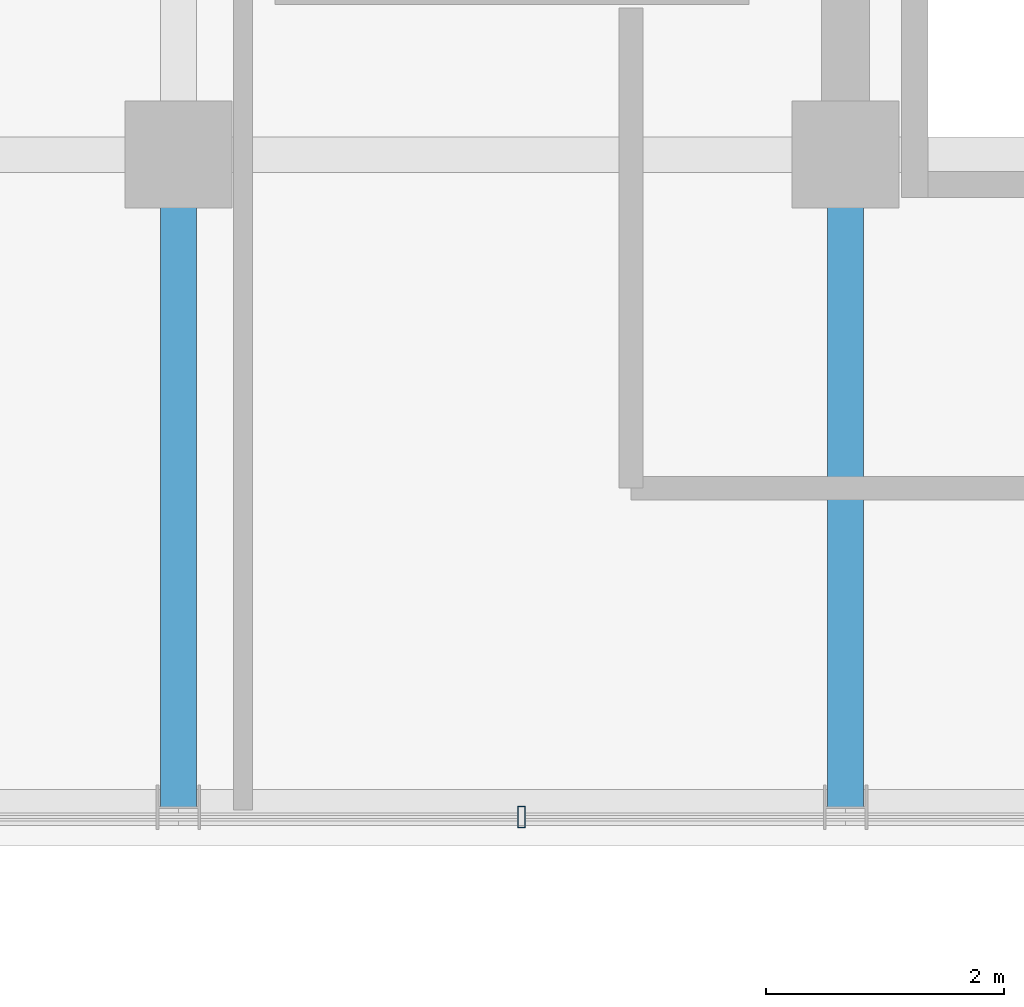
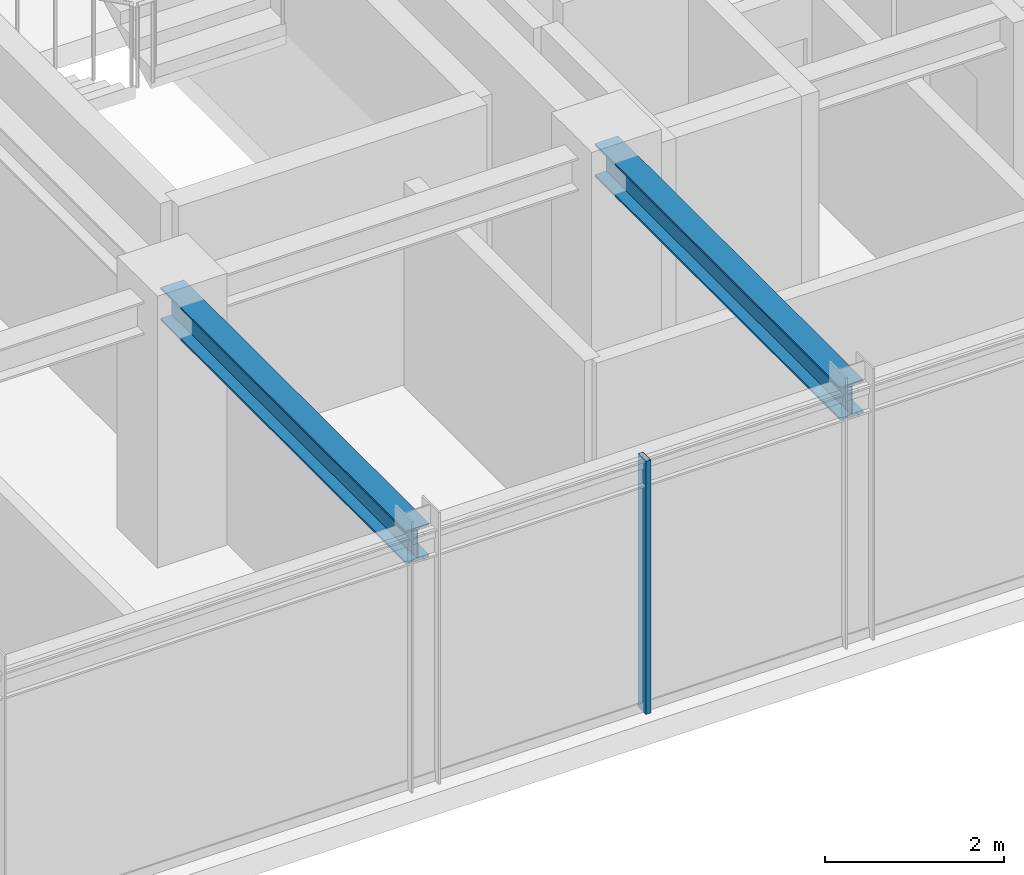
# One storey, part 7 of 32: 2 beams, 1 member, 1 element without a shape of its own.
"""IFC4 building model written with IfcOpenShell, lengths in metres."""

import ifcopenshell
import ifcopenshell.guid

model = None  # the IFC model being written
_history = None  # IfcOwnerHistory: only IFC2X3 demands one
_inside = {}  # id of a spatial element -> (the spatial element, [elements in it])
_under = {}  # id of a project, library or spatial element -> (it, [spatial elements below it])
_declared = {}  # id of a project -> (the project, [libraries it declares])
_typed = {}  # id of a type object -> (the type object, [elements of that type])
_made_of = {}  # id of a material, layer set ... -> (it, [elements and type objects made of it])


def new_model(schema):
    """Start an empty IFC model of exactly this schema.

    Asked for "IFC4X3", IfcOpenShell would pick the latest addendum, in which some entities
    have other attributes; the version numbers below select the first issue.
    IFC2X3 requires an IfcOwnerHistory on every rooted entity: one is made here for all.
    """
    global model, _history
    if schema == "IFC4X3":
        model = ifcopenshell.file(schema_version=(4, 3, 0, 0))
    else:
        model = ifcopenshell.file(schema=schema)
    _inside.clear()
    _under.clear()
    _declared.clear()
    _typed.clear()
    _made_of.clear()
    _history = None
    if model.schema == "IFC2X3":
        org = make("IfcOrganization", Name="unknown")
        user = make(
            "IfcPersonAndOrganization",
            ThePerson=make("IfcPerson", FamilyName="unknown"),
            TheOrganization=org,
        )
        app = make(
            "IfcApplication",
            ApplicationDeveloper=org,
            Version="unknown",
            ApplicationFullName="unknown",
            ApplicationIdentifier="unknown",
        )
        _history = make(
            "IfcOwnerHistory",
            OwningUser=user,
            OwningApplication=app,
            ChangeAction="ADDED",
            CreationDate=0,
        )
    return model


def make(cls, **values):
    """One entity of the class cls with the attributes given. An attribute that is None is left unset."""
    return model.create_entity(
        cls, **{name: value for name, value in values.items() if value is not None}
    )


def rooted(cls, **values):
    """An entity with a GlobalId (a new one), such as an element, a storey or a relation."""
    return make(cls, GlobalId=ifcopenshell.guid.new(), OwnerHistory=_history, **values)


def si_unit(unit_type, name, prefix=None):
    """IfcSIUnit, for example si_unit("LENGTHUNIT", "METRE", prefix="MILLI")."""
    return make("IfcSIUnit", UnitType=unit_type, Prefix=prefix, Name=name)


def assignment(units):
    """IfcUnitAssignment: the units of a project."""
    return None if units is None else make("IfcUnitAssignment", Units=units)


def point(xyz):
    """IfcCartesianPoint."""
    return None if xyz is None else make("IfcCartesianPoint", Coordinates=xyz)


def direction(xyz):
    """IfcDirection."""
    return None if xyz is None else make("IfcDirection", DirectionRatios=xyz)


def frame(location, z_axis=None, x_axis=None):
    """IfcAxis2Placement3D, a coordinate frame: its origin and axes. An axis left out is left unset."""
    return make(
        "IfcAxis2Placement3D",
        Location=point(location),
        Axis=direction(z_axis),
        RefDirection=direction(x_axis),
    )


def frame_2d(location, x_axis=None):
    """IfcAxis2Placement2D, a coordinate frame in the plane: its origin and x axis."""
    return make(
        "IfcAxis2Placement2D", Location=point(location), RefDirection=direction(x_axis)
    )


def origin():
    """The frame at (0, 0, 0) with its axes left unset."""
    return frame((0.0, 0.0, 0.0))


def origin_2d():
    """The frame at (0, 0) in the plane with its x axis left unset."""
    return frame_2d((0.0, 0.0))


def place(relative_to, where):
    """IfcLocalPlacement: puts the frame where relative to a parent placement (None: the world)."""
    return make(
        "IfcLocalPlacement", PlacementRelTo=relative_to, RelativePlacement=where
    )


def context(
    kind, dimensions, precision=None, world=None, true_north=None, identifier=None
):
    """IfcGeometricRepresentationContext, for example the 3D "Model" context."""
    return make(
        "IfcGeometricRepresentationContext",
        ContextIdentifier=identifier,
        ContextType=kind,
        CoordinateSpaceDimension=dimensions,
        Precision=precision,
        WorldCoordinateSystem=world,
        TrueNorth=true_north,
    )


def subcontext(parent, identifier, kind, view, scale=None):
    """IfcGeometricRepresentationSubContext, for example "Body" below "Model"."""
    return make(
        "IfcGeometricRepresentationSubContext",
        ContextIdentifier=identifier,
        ContextType=kind,
        ParentContext=parent,
        TargetScale=scale,
        TargetView=view,
    )


def project(units=None, contexts=None):
    """IfcProject with its units and contexts."""
    return rooted(
        "IfcProject",
        Name="project",
        RepresentationContexts=contexts,
        UnitsInContext=assignment(units),
    )


def spatial(cls, under=None, at=None, **own):
    """A site, building, storey or space (cls), placed at a placement, below another one or the project."""
    s = rooted(cls, ObjectPlacement=at, **own)
    if under is not None:
        _under.setdefault(under.id(), (under, []))[1].append(s)
    return s


def profile(cls, at=None, kind="AREA", **sizes):
    """A parametric profile (cls). Its sizes go by their IFC names, for example OverallWidth=200.0."""
    return make(cls, ProfileType=kind, Position=at, **sizes)


def hollow_rectangle(**sizes):
    """IfcRectangleHollowProfileDef."""
    return profile("IfcRectangleHollowProfileDef", **sizes)


def i_section(**sizes):
    """IfcIShapeProfileDef."""
    return profile("IfcIShapeProfileDef", **sizes)


def extrude(swept, where, along, depth):
    """IfcExtrudedAreaSolid: the profile swept, set in the frame where, extruded along a direction by depth."""
    return make(
        "IfcExtrudedAreaSolid",
        SweptArea=swept,
        Position=where,
        ExtrudedDirection=direction(along),
        Depth=depth,
    )


def shape(context_of_items, identifier, shape_type, items):
    """IfcShapeRepresentation: the items that make up one representation, for example the "Body"."""
    return make(
        "IfcShapeRepresentation",
        ContextOfItems=context_of_items,
        RepresentationIdentifier=identifier,
        RepresentationType=shape_type,
        Items=items,
    )


def source(mapping_origin, context_of_items, identifier, shape_type, items):
    """IfcRepresentationMap: a shape defined once, which mapped items show again and again."""
    return make(
        "IfcRepresentationMap",
        MappingOrigin=mapping_origin,
        MappedRepresentation=shape(context_of_items, identifier, shape_type, items),
    )


def transform(
    local_origin,
    x_axis=None,
    y_axis=None,
    z_axis=None,
    scale=None,
    scale2=None,
    scale3=None,
    uniform=True,
):
    """IfcCartesianTransformationOperator3D, or its non-uniform kind. x_axis, y_axis, z_axis: its Axis1, 2, 3."""
    if uniform:
        return make(
            "IfcCartesianTransformationOperator3D",
            Axis1=direction(x_axis),
            Axis2=direction(y_axis),
            LocalOrigin=point(local_origin),
            Scale=scale,
            Axis3=direction(z_axis),
        )
    return make(
        "IfcCartesianTransformationOperator3DnonUniform",
        Axis1=direction(x_axis),
        Axis2=direction(y_axis),
        LocalOrigin=point(local_origin),
        Scale=scale,
        Axis3=direction(z_axis),
        Scale2=scale2,
        Scale3=scale3,
    )


def mapped(mapping_source, mapping_target):
    """IfcMappedItem: shows the shape of a source again, moved by a transform."""
    return make(
        "IfcMappedItem", MappingSource=mapping_source, MappingTarget=mapping_target
    )


def material(Name=None, Category=None):
    """IfcMaterial."""
    return make("IfcMaterial", Name=Name, Category=Category)


def material_profile(
    of_material, cross_section, Name=None, Category=None, Priority=None
):
    """IfcMaterialProfile: a cross section and its material."""
    return make(
        "IfcMaterialProfile",
        Name=Name,
        Material=of_material,
        Profile=cross_section,
        Priority=Priority,
        Category=Category,
    )


def profile_set(profiles, Name=None, composite=None):
    """IfcMaterialProfileSet."""
    return make(
        "IfcMaterialProfileSet",
        Name=Name,
        MaterialProfiles=profiles,
        CompositeProfile=composite,
    )


def made_of(thing, what):
    """Note that an element or type object is made of a material, layer set ...; save() writes the relation."""
    if what is not None:
        _made_of.setdefault(what.id(), (what, []))[1].append(thing)
    return thing


def type_object(cls, material=None, **own):
    """A type object (cls), such as IfcWallType, which elements share."""
    return made_of(rooted(cls, **own), material)


def element(
    cls,
    number,
    at=None,
    inside=None,
    cuts=None,
    type_object=None,
    material=None,
    context=None,
    identifier="Body",
    shape_type=None,
    held_by="IfcProductDefinitionShape",
    body=None,
    shapes=None,
    **own,
):
    """One element of the class cls, such as IfcWall. Its Tag is "e" and its number.

    at: its placement. inside: the storey or other place that contains it. cuts: it is an
    opening in that element (IfcRelVoidsElement). A single representation is given by context,
    identifier, shape_type and body (its items); several are given by shapes. held_by: the class
    of the entity that holds the representations. save() writes the other relations.
    """
    e = rooted(cls, Tag="e%d" % number, ObjectPlacement=at, **own)
    if body is not None:
        shapes = [shape(context, identifier, shape_type, body)]
    if shapes is not None:
        e.Representation = make(held_by, Representations=shapes)
    if inside is not None:
        _inside.setdefault(inside.id(), (inside, []))[1].append(e)
    if cuts is not None:
        rooted(
            "IfcRelVoidsElement", RelatingBuildingElement=cuts, RelatedOpeningElement=e
        )
    if type_object is not None:
        _typed.setdefault(type_object.id(), (type_object, []))[1].append(e)
    return made_of(e, material)


def aggregate(whole, parts):
    """IfcRelAggregates: a whole, such as a stair, and the parts it consists of."""
    return rooted("IfcRelAggregates", RelatingObject=whole, RelatedObjects=parts)


def save(model, path):
    """Write the relations noted so far, then the file.

    IfcRelAggregates (storeys below a building ...), IfcRelContainedInSpatialStructure (elements
    in a storey), IfcRelDefinesByType, IfcRelAssociatesMaterial and IfcRelDeclares: one each for
    every whole, place, type object, material and project.
    """
    for whole, parts in _under.values():
        aggregate(whole, parts)
    for where, things in _inside.values():
        rooted(
            "IfcRelContainedInSpatialStructure",
            RelatedElements=things,
            RelatingStructure=where,
        )
    for kind, things in _typed.values():
        rooted("IfcRelDefinesByType", RelatedObjects=things, RelatingType=kind)
    for what, things in _made_of.values():
        rooted("IfcRelAssociatesMaterial", RelatedObjects=things, RelatingMaterial=what)
    for by, libraries in _declared.values():
        rooted("IfcRelDeclares", RelatingContext=by, RelatedDefinitions=libraries)
    model.write(path)


model = new_model("IFC4")

# Units and contexts
model_context = context("Model", 3, precision=1e-05, world=origin(), true_north=direction((0.0, 1.0)))
body_context = subcontext(model_context, "Body", "Model", "MODEL_VIEW")
ifc_project = project(units=[si_unit("LENGTHUNIT", "METRE"), si_unit("AREAUNIT", "SQUARE_METRE"), si_unit("VOLUMEUNIT", "CUBIC_METRE"), si_unit("PLANEANGLEUNIT", "RADIAN"), si_unit("MASSUNIT", "GRAM", prefix="KILO")], contexts=[model_context])

# Site, building, storey
site_placement = place(None, origin())
site = spatial("IfcSite", under=ifc_project, at=site_placement, CompositionType="ELEMENT")
building_placement = place(site_placement, origin())
building = spatial("IfcBuilding", under=site, at=building_placement, Name="Nahalor Promenade Grand Hotel", CompositionType="ELEMENT")
storey_placement = place(building_placement, frame((0.0, 0.0, 285.050048828125)))
storey = spatial("IfcBuildingStorey", under=building, at=storey_placement, Name="L73", CompositionType="ELEMENT", Elevation=285.050048828125)

# Beams
ifc_material_1 = material(Name="Steel S355JR", Category="steel")
ifc_material_profile_1 = material_profile(ifc_material_1, i_section(OverallWidth=0.3, OverallDepth=0.45, WebThickness=0.014, FlangeThickness=0.026, at=origin_2d()), Name="HEB 450")
ifc_profile_set_1 = profile_set([ifc_material_profile_1], Name="Steel S355JR")
beam_type = type_object("IfcBeamType", Name="Beam-Girder-HEB450", PredefinedType="BEAM", material=ifc_profile_set_1)
shared_shape_1 = source(origin(), body_context, "Body", "SweptSolid", [
    extrude(i_section(OverallWidth=0.3, OverallDepth=0.45, WebThickness=0.014, FlangeThickness=0.026, at=origin_2d()), origin(), (0.0, 0.0, 1.0), 5.47998046875),
])
for number, where, z_axis, x_axis, name in (
    (1, (2.800048828125, -22.47998046875, 3.224853515625), (0.0, 1.0, 0.0), (-1.0, 0.0, 0.0), "BM-L73-GY-3-0"),
    (2, (8.39990234375, -22.47998046875, 3.224853515625), (0.0, 1.0, 0.0), (-1.0, 0.0, 0.0), "BM-L73-GY-4-0"),
):
    element("IfcBeam", number, at=place(storey_placement, frame(where, z_axis=z_axis, x_axis=x_axis)), inside=storey, type_object=beam_type, Name=name, PredefinedType="BEAM", context=body_context, shape_type="MappedRepresentation", body=[
        mapped(shared_shape_1, transform((0.0, 0.0, 0.0), scale=1.0)),
    ])

# Curtain wall, member
ifc_material_2 = material(Name="Anodised Bronze Aluminium EN AW-6063 T6", Category="aluminium")
curtain_wall_type = type_object("IfcCurtainWallType", Name="CW2 Typical Hotel Flush Bronze Unitised Curtain Wall", PredefinedType="USERDEFINED", material=ifc_material_2)
curtain_wall_placement = place(storey_placement, origin())
curtain_wall = element("IfcCurtainWall", 3, at=curtain_wall_placement, inside=storey, type_object=curtain_wall_type, Name="L73 Curtain Wall CW-L73-S-3", ObjectType="UNITISED_CURTAIN_WALL", PredefinedType="USERDEFINED")
ifc_material_profile_2 = material_profile(ifc_material_2, hollow_rectangle(XDim=0.065, YDim=0.18, WallThickness=0.004, at=origin_2d()), Name="CWM 65x180x4")
ifc_profile_set_2 = profile_set([ifc_material_profile_2], Name="Anodised Bronze Aluminium EN AW-6063 T6")
member_type = type_object("IfcMemberType", Name="CWM2 Typical Bronze Mullion 65x180", PredefinedType="MULLION", material=ifc_profile_set_2)
shared_shape_2 = source(origin(), body_context, "Body", "SweptSolid", [
    extrude(hollow_rectangle(XDim=0.065, YDim=0.18, WallThickness=0.004, at=origin_2d()), origin(), (0.0, 0.0, 1.0), 3.449951171875),
])
member_placement = place(storey_placement, frame((5.679931640625, -22.56005859375, 0.0), z_axis=(0.0, 0.0, 1.0), x_axis=(1.0, 0.0, 0.0)))
member = element("IfcMember", 4, at=member_placement, type_object=member_type, Name="CW-L73-S-3 Mullion 1", PredefinedType="MULLION", context=body_context, shape_type="MappedRepresentation", body=[
    mapped(shared_shape_2, transform((0.0, 0.0, 0.0), scale=1.0)),
])
aggregate(curtain_wall, [member])

save(model, "model.ifc")
